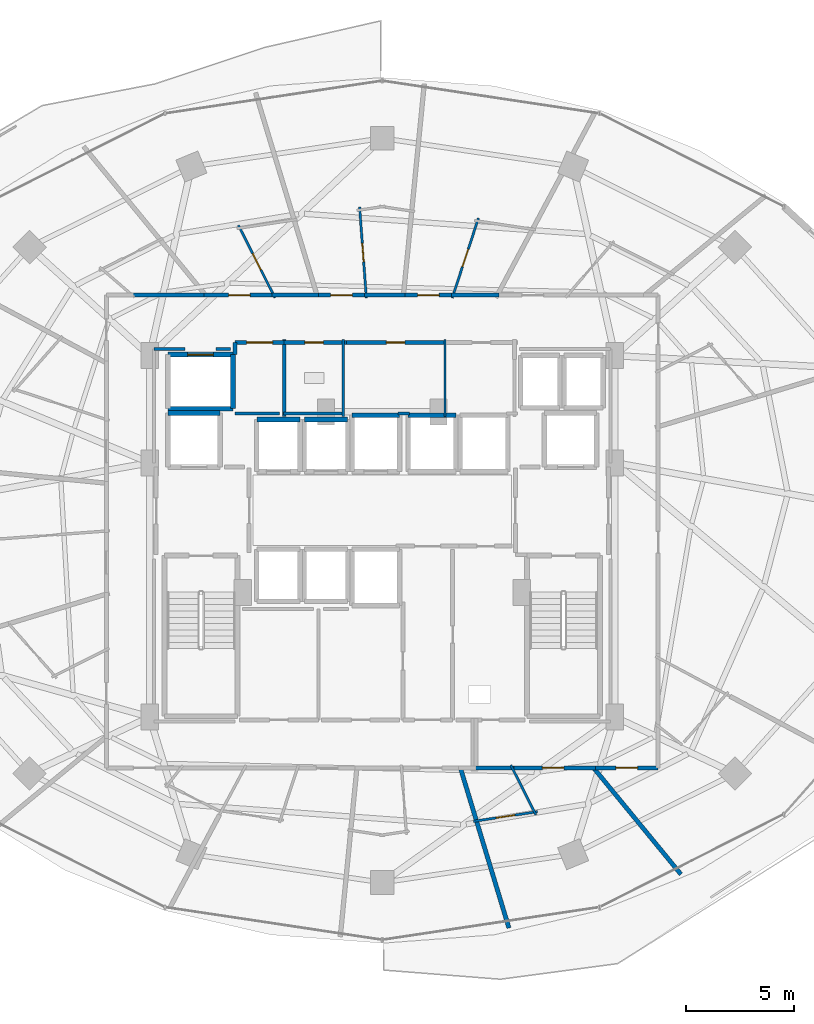
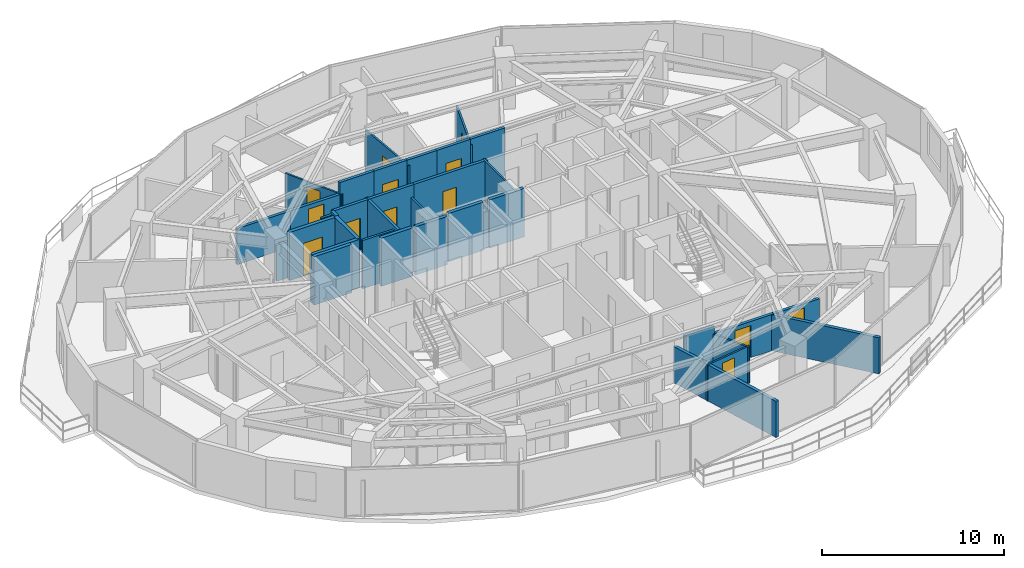
# One storey, part 23 of 29: 37 walls, 13 doors, 13 openings.
"""IFC4 building model written with IfcOpenShell, lengths in metres."""

from ifc_helpers import new_model, si_unit, direction, frame, frame_2d, origin, place, context, subcontext, project, spatial, rectangle, extrude, material, layer, layer_set, type_object, element, fill, save


model = new_model("IFC4")

# Units and contexts
model_context = context("Model", 3, precision=1e-05, world=origin(), true_north=direction((0.0, 1.0)))
body_context = subcontext(model_context, "Body", "Model", "MODEL_VIEW")
ifc_project = project(units=[si_unit("LENGTHUNIT", "METRE"), si_unit("AREAUNIT", "SQUARE_METRE"), si_unit("VOLUMEUNIT", "CUBIC_METRE"), si_unit("PLANEANGLEUNIT", "RADIAN"), si_unit("MASSUNIT", "GRAM", prefix="KILO")], contexts=[model_context])

# Site, building, storey
site_placement = place(None, origin())
site = spatial("IfcSite", under=ifc_project, at=site_placement, CompositionType="ELEMENT")
building_placement = place(site_placement, origin())
building = spatial("IfcBuilding", under=site, at=building_placement, Name="Vorneva Point Tower", CompositionType="ELEMENT")
storey_placement = place(building_placement, frame((0.0, 0.0, 113.800048828125)))
storey = spatial("IfcBuildingStorey", under=building, at=storey_placement, Name="L30", CompositionType="ELEMENT", Elevation=113.800048828125)

# Walls
ifc_material_1 = material(Name="Concrete B60 (C50/60)", Category="concrete")
ifc_layer_1 = layer(ifc_material_1, 0.5)
ifc_layer_set_1 = layer_set([ifc_layer_1], Name="Concrete B60 (C50/60)")
wall_type_1 = type_object("IfcWallType", Name="WL-CORE-500", PredefinedType="SHEAR", material=ifc_layer_set_1)
wall_1_placement = place(storey_placement, frame((30.5, 30.5, 0.0), z_axis=(0.0, 0.0, 1.0), x_axis=(-1.0, 0.0, 0.0)))
element("IfcWall", 1, at=wall_1_placement, inside=storey, type_object=wall_type_1, Name="L30 Lift FFL1 Shaft Wall +Y", PredefinedType="SHEAR", context=body_context, shape_type="SweptSolid", body=[
    extrude(rectangle(XDim=2.39990234375, YDim=0.219970703125, at=frame_2d((1.199951171875, 0.0))), origin(), (0.0, 0.0, 1.0), 3.239990234375),
])
ifc_material_2 = material(Name="Fire-rated acoustic gypsum stud partition", Category="gypsum")
ifc_layer_2 = layer(ifc_material_2, 0.110107421875)
ifc_layer_set_2 = layer_set([ifc_layer_2], Name="Fire-rated acoustic gypsum stud partition")
wall_type_2 = type_object("IfcWallType", Name="WL-PART-110", PredefinedType="PARTITIONING", material=ifc_layer_set_2)
wall_2_placement = place(storey_placement, frame((36.199951171875, 30.340087890625, 0.0), z_axis=(0.0, 0.0, 1.0), x_axis=(0.0, 1.0, 0.0)))
element("IfcWall", 2, at=wall_2_placement, inside=storey, type_object=wall_type_2, Name="L30 Interior Partition 015", PredefinedType="PARTITIONING", context=body_context, shape_type="SweptSolid", body=[
    extrude(rectangle(XDim=3.559814453125, YDim=0.110107421875, at=frame_2d((1.77978515625, 0.0))), origin(), (0.0, 0.0, 1.0), 2.431884765625),
])
wall_3_placement = place(storey_placement, frame((40.89990234375, 30.340087890625, 0.0), z_axis=(0.0, 0.0, 1.0), x_axis=(0.0, 1.0, 0.0)))
element("IfcWall", 3, at=wall_3_placement, inside=storey, type_object=wall_type_2, Name="L30 Interior Partition 017", PredefinedType="PARTITIONING", context=body_context, shape_type="SweptSolid", body=[
    extrude(rectangle(XDim=3.559814453125, YDim=0.110107421875, at=frame_2d((1.77978515625, 0.0))), origin(), (0.0, 0.0, 1.0), 3.239990234375),
])

# Wall, opening, door
wall_4_placement = place(storey_placement, frame((41.232177734375, 35.81689453125, 0.0), z_axis=(0.0, 0.0, 1.0), x_axis=(0.312643466081, 0.949870550716, 0.0)))
wall_4 = element("IfcWall", 4, at=wall_4_placement, inside=storey, type_object=wall_type_2, Name="L30 Interior Partition 069", PredefinedType="PARTITIONING", context=body_context, shape_type="SweptSolid", body=[
    extrude(rectangle(XDim=3.885009765625, YDim=0.110107421875, at=frame_2d((1.9423828125, 0.0))), origin(), (0.0, 0.0, 1.0), 2.885986328125),
])
opening_1_placement = place(wall_4_placement, frame((1.517333984375, 0.0, 0.0)))
opening_1 = element("IfcOpeningElement", 5, at=opening_1_placement, cuts=wall_4, Name="Opening ID-02", PredefinedType="OPENING", context=body_context, shape_type="SweptSolid", body=[
    extrude(rectangle(XDim=0.85009765625, YDim=2.10009765625, at=frame_2d((0.425048828125, 1.050048828125))), frame((0.0, 0.06982421875, 0.0), z_axis=(0.0, -1.0, 0.0), x_axis=(1.0, 0.0, 0.0)), (0.0, 0.0, 1.0), 0.139892578125),
])
ifc_material_3 = material(Name="Engineered oak fire-rated door leaf", Category="wood")
door_type_1 = type_object("IfcDoorType", Name="DR-BATH-850", OperationType="NOTDEFINED", PredefinedType="DOOR", material=ifc_material_3)
door_1_placement = place(opening_1_placement, origin())
door_1 = element("IfcDoor", 6, at=door_1_placement, inside=storey, type_object=door_type_1, Name="L30 Door King Guest Room L30-03 / En-Suite Bathroom L30-03", OperationType="SINGLE_SWING_LEFT", OverallHeight=2.10009765625, OverallWidth=0.85009765625, PredefinedType="DOOR", context=body_context, shape_type="SweptSolid", body=[
    extrude(rectangle(XDim=0.85009765625, YDim=2.10009765625, at=frame_2d((0.425048828125, 1.050048828125))), frame((0.0, 0.02490234375, 0.0), z_axis=(0.0, -1.0, 0.0), x_axis=(1.0, 0.0, 0.0)), (0.0, 0.0, 1.0), 0.050048828125),
])
fill(opening_1, door_1)

wall_5_placement = place(storey_placement, frame((37.266357421875, 35.810302734375, 0.0), z_axis=(0.0, 0.0, 1.0), x_axis=(-0.074555567167, 0.99721686077, 0.0)))
wall_5 = element("IfcWall", 7, at=wall_5_placement, inside=storey, type_object=wall_type_2, Name="L30 Interior Partition 074", PredefinedType="PARTITIONING", context=body_context, shape_type="SweptSolid", body=[
    extrude(rectangle(XDim=4.220947265625, YDim=0.110107421875, at=frame_2d((2.1103515625, 0.0))), origin(), (0.0, 0.0, 1.0), 2.885986328125),
])
opening_2_placement = place(wall_5_placement, frame((1.685546875, 0.0, 0.0)))
opening_2 = element("IfcOpeningElement", 8, at=opening_2_placement, cuts=wall_5, Name="Opening ID-02", PredefinedType="OPENING", context=body_context, shape_type="SweptSolid", body=[
    extrude(rectangle(XDim=0.85009765625, YDim=2.10009765625, at=frame_2d((0.425048828125, 1.050048828125))), frame((0.0, 0.06982421875, 0.0), z_axis=(0.0, -1.0, 0.0), x_axis=(1.0, 0.0, 0.0)), (0.0, 0.0, 1.0), 0.139892578125),
])
door_2_placement = place(opening_2_placement, origin())
door_2 = element("IfcDoor", 9, at=door_2_placement, inside=storey, type_object=door_type_1, Name="L30 Door Twin Guest Room L30-04 / En-Suite Bathroom L30-04", OperationType="SINGLE_SWING_RIGHT", OverallHeight=2.10009765625, OverallWidth=0.85009765625, PredefinedType="DOOR", context=body_context, shape_type="SweptSolid", body=[
    extrude(rectangle(XDim=0.85009765625, YDim=2.10009765625, at=frame_2d((0.425048828125, 1.050048828125))), frame((0.0, 0.02490234375, 0.0), z_axis=(0.0, -1.0, 0.0), x_axis=(1.0, 0.0, 0.0)), (0.0, 0.0, 1.0), 0.050048828125),
])
fill(opening_2, door_2)

wall_6_placement = place(storey_placement, frame((33.0419921875, 35.824951171875, 0.0), z_axis=(0.0, 0.0, 1.0), x_axis=(-0.450415881942, 0.892818869253, 0.0)))
wall_6 = element("IfcWall", 10, at=wall_6_placement, inside=storey, type_object=wall_type_2, Name="L30 Interior Partition 077", PredefinedType="PARTITIONING", context=body_context, shape_type="SweptSolid", body=[
    extrude(rectangle(XDim=3.74755859375, YDim=0.110107421875, at=frame_2d((1.873779296875, 0.0))), origin(), (0.0, 0.0, 1.0), 2.431884765625),
])
opening_3_placement = place(wall_6_placement, frame((1.448974609375, 0.0, 0.0)))
opening_3 = element("IfcOpeningElement", 11, at=opening_3_placement, cuts=wall_6, Name="Opening ID-02", PredefinedType="OPENING", context=body_context, shape_type="SweptSolid", body=[
    extrude(rectangle(XDim=0.85009765625, YDim=2.10009765625, at=frame_2d((0.425048828125, 1.050048828125))), frame((0.0, 0.06982421875, 0.0), z_axis=(0.0, -1.0, 0.0), x_axis=(1.0, 0.0, 0.0)), (0.0, 0.0, 1.0), 0.139892578125),
])
door_3_placement = place(opening_3_placement, origin())
door_3 = element("IfcDoor", 12, at=door_3_placement, inside=storey, type_object=door_type_1, Name="L30 Door Deluxe Guest Room L30-05 / En-Suite Bathroom L30-05", OperationType="SINGLE_SWING_LEFT", OverallHeight=2.10009765625, OverallWidth=0.85009765625, PredefinedType="DOOR", context=body_context, shape_type="SweptSolid", body=[
    extrude(rectangle(XDim=0.85009765625, YDim=2.10009765625, at=frame_2d((0.425048828125, 1.050048828125))), frame((0.0, 0.02490234375, 0.0), z_axis=(0.0, -1.0, 0.0), x_axis=(1.0, 0.0, 0.0)), (0.0, 0.0, 1.0), 0.050048828125),
])
fill(opening_3, door_3)

wall_7_placement = place(storey_placement, frame((45.17529296875, 12.07568359375, 0.0), z_axis=(0.0, 0.0, 1.0), x_axis=(-0.988865063855, -0.148814937044, 0.0)))
wall_7 = element("IfcWall", 13, at=wall_7_placement, inside=storey, type_object=wall_type_2, Name="L30 Interior Partition 104", PredefinedType="PARTITIONING", context=body_context, shape_type="SweptSolid", body=[
    extrude(rectangle(XDim=2.994140625, YDim=0.110107421875, at=frame_2d((1.4970703125, 0.0))), origin(), (0.0, 0.0, 1.0), 2.431884765625),
])
opening_4_placement = place(wall_7_placement, frame((1.072021484375, 0.0, 0.0)))
opening_4 = element("IfcOpeningElement", 14, at=opening_4_placement, cuts=wall_7, Name="Opening ID-02", PredefinedType="OPENING", context=body_context, shape_type="SweptSolid", body=[
    extrude(rectangle(XDim=0.85009765625, YDim=2.10009765625, at=frame_2d((0.425048828125, 1.050048828125))), frame((0.0, 0.06982421875, 0.0), z_axis=(0.0, -1.0, 0.0), x_axis=(1.0, 0.0, 0.0)), (0.0, 0.0, 1.0), 0.139892578125),
])
door_4_placement = place(opening_4_placement, origin())
door_4 = element("IfcDoor", 15, at=door_4_placement, inside=storey, type_object=door_type_1, Name="L30 Door Twin Guest Room L30-13 / En-Suite Bathroom L30-13", OperationType="SINGLE_SWING_LEFT", OverallHeight=2.10009765625, OverallWidth=0.85009765625, PredefinedType="DOOR", context=body_context, shape_type="SweptSolid", body=[
    extrude(rectangle(XDim=0.85009765625, YDim=2.10009765625, at=frame_2d((0.425048828125, 1.050048828125))), frame((0.0, 0.02490234375, 0.0), z_axis=(0.0, -1.0, 0.0), x_axis=(1.0, 0.0, 0.0)), (0.0, 0.0, 1.0), 0.050048828125),
])
fill(opening_4, door_4)

# Walls
wall_8_placement = place(storey_placement, frame((43.94189453125, 14.22509765625, 0.0), z_axis=(0.0, 0.0, 1.0), x_axis=(0.450515334881, -0.892768689548, 0.0)))
element("IfcWall", 16, at=wall_8_placement, inside=storey, type_object=wall_type_2, Name="L30 Interior Partition 105", PredefinedType="PARTITIONING", context=body_context, shape_type="SweptSolid", body=[
    extrude(rectangle(XDim=2.57080078125, YDim=0.110107421875, at=frame_2d((1.285400390625, 0.0))), origin(), (0.0, 0.0, 1.0), 2.431884765625),
])
ifc_layer_3 = layer(ifc_material_2, 0.139892578125)
ifc_layer_set_3 = layer_set([ifc_layer_3], Name="Fire-rated acoustic gypsum stud partition")
wall_type_3 = type_object("IfcWallType", Name="WL-PART-140", PredefinedType="PARTITIONING", material=ifc_layer_set_3)
wall_9_placement = place(storey_placement, frame((31.199951171875, 30.47998046875, 0.0), z_axis=(0.0, 0.0, 1.0), x_axis=(1.0, 0.0, 0.0)))
element("IfcWall", 17, at=wall_9_placement, inside=storey, type_object=wall_type_3, Name="L30 Interior Closure Partition 113", PredefinedType="PARTITIONING", context=body_context, shape_type="SweptSolid", body=[
    extrude(rectangle(XDim=2.050048828125, YDim=0.139892578125, at=frame_2d((1.02490234375, 0.0))), origin(), (0.0, 0.0, 1.0), 3.239990234375),
])
wall_10_placement = place(storey_placement, frame((33.43994140625, 30.47998046875, 0.0), z_axis=(0.0, 0.0, 1.0), x_axis=(1.0, 0.0, 0.0)))
element("IfcWall", 18, at=wall_10_placement, inside=storey, type_object=wall_type_3, Name="L30 Interior Closure Partition 114", PredefinedType="PARTITIONING", context=body_context, shape_type="SweptSolid", body=[
    extrude(rectangle(XDim=2.7900390625, YDim=0.139892578125, at=frame_2d((1.39501953125, 0.0))), origin(), (0.0, 0.0, 1.0), 2.431884765625),
])
wall_11_placement = place(storey_placement, frame((38.735107421875, 30.47998046875, 0.0), z_axis=(0.0, 0.0, 1.0), x_axis=(1.0, 0.0, 0.0)))
element("IfcWall", 19, at=wall_11_placement, inside=storey, type_object=wall_type_3, Name="L30 Interior Closure Partition 115", PredefinedType="PARTITIONING", context=body_context, shape_type="SweptSolid", body=[
    extrude(rectangle(XDim=0.52978515625, YDim=0.139892578125, at=frame_2d((0.264892578125, 0.0))), origin(), (0.0, 0.0, 1.0), 2.431884765625),
])
wall_12_placement = place(storey_placement, frame((27.449951171875, 33.449951171875, 0.0), z_axis=(0.0, 0.0, 1.0), x_axis=(1.0, 0.0, 0.0)))
element("IfcWall", 20, at=wall_12_placement, inside=storey, type_object=wall_type_3, Name="L30 Interior Closure Partition 127", PredefinedType="PARTITIONING", context=body_context, shape_type="SweptSolid", body=[
    extrude(rectangle(XDim=1.444091796875, YDim=0.139892578125, at=frame_2d((0.72216796875, 0.0))), origin(), (0.0, 0.0, 1.0), 2.431884765625),
])
wall_13_placement = place(storey_placement, frame((30.305908203125, 33.449951171875, 0.0), z_axis=(0.0, 0.0, 1.0), x_axis=(1.0, 0.0, 0.0)))
element("IfcWall", 21, at=wall_13_placement, inside=storey, type_object=wall_type_3, Name="L30 Interior Closure Partition 128", PredefinedType="PARTITIONING", context=body_context, shape_type="SweptSolid", body=[
    extrude(rectangle(XDim=0.674072265625, YDim=0.139892578125, at=frame_2d((0.3369140625, 0.0))), origin(), (0.0, 0.0, 1.0), 3.239990234375),
])
ifc_material_4 = material(Name="Autoclaved aerated concrete blockwork", Category="masonry")
ifc_layer_4 = layer(ifc_material_4, 0.179931640625)
ifc_layer_set_4 = layer_set([ifc_layer_4], Name="Autoclaved aerated concrete blockwork")
wall_type_4 = type_object("IfcWallType", Name="WL-PART-180", PredefinedType="PARTITIONING", material=ifc_layer_set_4)
wall_14_placement = place(storey_placement, frame((33.469970703125, 30.340087890625, 0.0), z_axis=(0.0, 0.0, 1.0), x_axis=(0.0, 1.0, 0.0)))
element("IfcWall", 22, at=wall_14_placement, inside=storey, type_object=wall_type_4, Name="L30 Interior Partition 006", PredefinedType="PARTITIONING", context=body_context, shape_type="SweptSolid", body=[
    extrude(rectangle(XDim=3.559814453125, YDim=0.179931640625, at=frame_2d((1.77978515625, 0.0))), origin(), (0.0, 0.0, 1.0), 3.239990234375),
])

# Wall, opening, door
wall_15_placement = place(storey_placement, frame((33.469970703125, 33.760009765625, 0.0), z_axis=(0.0, 0.0, 1.0), x_axis=(-1.0, 0.0, 0.0)))
wall_15 = element("IfcWall", 23, at=wall_15_placement, inside=storey, type_object=wall_type_4, Name="L30 Interior Partition 007", PredefinedType="PARTITIONING", context=body_context, shape_type="SweptSolid", body=[
    extrude(rectangle(XDim=2.27001953125, YDim=0.179931640625, at=frame_2d((1.135009765625, 0.0))), origin(), (0.0, 0.0, 1.0), 3.239990234375),
])
opening_5_placement = place(wall_15_placement, frame((0.534912109375, 0.0, 0.0)))
opening_5 = element("IfcOpeningElement", 24, at=opening_5_placement, cuts=wall_15, Name="Opening FD-02", PredefinedType="OPENING", context=body_context, shape_type="SweptSolid", body=[
    extrude(rectangle(XDim=1.199951171875, YDim=2.14990234375, at=frame_2d((0.60009765625, 1.074951171875))), frame((0.0, 0.10498046875, 0.0), z_axis=(0.0, -1.0, 0.0), x_axis=(1.0, 0.0, 0.0)), (0.0, 0.0, 1.0), 0.209716796875),
])
ifc_material_5 = material(Name="Fire-rated powder-coated steel", Category="steel")
door_type_2 = type_object("IfcDoorType", Name="DR-FFL-1200", OperationType="NOTDEFINED", PredefinedType="DOOR", material=ifc_material_5)
door_5_placement = place(opening_5_placement, origin())
door_5 = element("IfcDoor", 25, at=door_5_placement, inside=storey, type_object=door_type_2, Name="L30 Door Service Lift Lobby / L30 Circulation Corridor", OperationType="SINGLE_SWING_RIGHT", OverallHeight=2.14990234375, OverallWidth=1.199951171875, PredefinedType="DOOR", context=body_context, shape_type="SweptSolid", body=[
    extrude(rectangle(XDim=1.199951171875, YDim=2.14990234375, at=frame_2d((0.60009765625, 1.074951171875))), frame((0.0, 0.02490234375, 0.0), z_axis=(0.0, -1.0, 0.0), x_axis=(1.0, 0.0, 0.0)), (0.0, 0.0, 1.0), 0.050048828125),
])
fill(opening_5, door_5)

# Wall
wall_16_placement = place(storey_placement, frame((31.199951171875, 33.760009765625, 0.0), z_axis=(0.0, 0.0, 1.0), x_axis=(0.0, -1.0, 0.0)))
element("IfcWall", 26, at=wall_16_placement, inside=storey, type_object=wall_type_4, Name="L30 Interior Partition 008", PredefinedType="PARTITIONING", context=body_context, shape_type="SweptSolid", body=[
    extrude(rectangle(XDim=0.56005859375, YDim=0.179931640625, at=frame_2d((0.280029296875, 0.0))), origin(), (0.0, 0.0, 1.0), 3.239990234375),
])

# Wall, opening, door
wall_17_placement = place(storey_placement, frame((36.340087890625, 33.760009765625, 0.0), z_axis=(0.0, 0.0, 1.0), x_axis=(-1.0, 0.0, 0.0)))
wall_17 = element("IfcWall", 27, at=wall_17_placement, inside=storey, type_object=wall_type_4, Name="L30 Interior Partition 016", PredefinedType="PARTITIONING", context=body_context, shape_type="SweptSolid", body=[
    extrude(rectangle(XDim=2.97998046875, YDim=0.179931640625, at=frame_2d((1.489990234375, 0.0))), origin(), (0.0, 0.0, 1.0), 3.239990234375),
])
opening_6_placement = place(wall_17_placement, frame((1.06494140625, 0.0, 0.0)))
opening_6 = element("IfcOpeningElement", 28, at=opening_6_placement, cuts=wall_17, Name="Opening ID-02", PredefinedType="OPENING", context=body_context, shape_type="SweptSolid", body=[
    extrude(rectangle(XDim=0.85009765625, YDim=2.10009765625, at=frame_2d((0.425048828125, 1.050048828125))), frame((0.0, 0.10498046875, 0.0), z_axis=(0.0, -1.0, 0.0), x_axis=(1.0, 0.0, 0.0)), (0.0, 0.0, 1.0), 0.209716796875),
])
door_6_placement = place(opening_6_placement, origin())
door_6 = element("IfcDoor", 29, at=door_6_placement, inside=storey, type_object=door_type_1, Name="L30 Door Public Male WC / L30 Circulation Corridor", OperationType="SINGLE_SWING_LEFT", OverallHeight=2.10009765625, OverallWidth=0.85009765625, PredefinedType="DOOR", context=body_context, shape_type="SweptSolid", body=[
    extrude(rectangle(XDim=0.85009765625, YDim=2.10009765625, at=frame_2d((0.425048828125, 1.050048828125))), frame((0.0, 0.02490234375, 0.0), z_axis=(0.0, -1.0, 0.0), x_axis=(1.0, 0.0, 0.0)), (0.0, 0.0, 1.0), 0.050048828125),
])
fill(opening_6, door_6)

wall_18_placement = place(storey_placement, frame((41.0400390625, 33.760009765625, 0.0), z_axis=(0.0, 0.0, 1.0), x_axis=(-1.0, 0.0, 0.0)))
wall_18 = element("IfcWall", 30, at=wall_18_placement, inside=storey, type_object=wall_type_4, Name="L30 Interior Partition 018", PredefinedType="PARTITIONING", context=body_context, shape_type="SweptSolid", body=[
    extrude(rectangle(XDim=4.840087890625, YDim=0.179931640625, at=frame_2d((2.419921875, 0.0))), origin(), (0.0, 0.0, 1.0), 3.239990234375),
])
opening_7_placement = place(wall_18_placement, frame((1.9951171875, 0.0, 0.0)))
opening_7 = element("IfcOpeningElement", 31, at=opening_7_placement, cuts=wall_18, Name="Opening ID-02", PredefinedType="OPENING", context=body_context, shape_type="SweptSolid", body=[
    extrude(rectangle(XDim=0.85009765625, YDim=2.10009765625, at=frame_2d((0.425048828125, 1.050048828125))), frame((0.0, 0.10498046875, 0.0), z_axis=(0.0, -1.0, 0.0), x_axis=(1.0, 0.0, 0.0)), (0.0, 0.0, 1.0), 0.209716796875),
])
door_7_placement = place(opening_7_placement, origin())
door_7 = element("IfcDoor", 32, at=door_7_placement, inside=storey, type_object=door_type_1, Name="L30 Door Public Female WC / L30 Circulation Corridor", OperationType="SINGLE_SWING_RIGHT", OverallHeight=2.10009765625, OverallWidth=0.85009765625, PredefinedType="DOOR", context=body_context, shape_type="SweptSolid", body=[
    extrude(rectangle(XDim=0.85009765625, YDim=2.10009765625, at=frame_2d((0.425048828125, 1.050048828125))), frame((0.0, 0.02490234375, 0.0), z_axis=(0.0, -1.0, 0.0), x_axis=(1.0, 0.0, 0.0)), (0.0, 0.0, 1.0), 0.050048828125),
])
fill(opening_7, door_7)

wall_19_placement = place(storey_placement, frame((41.339111328125, 35.949951171875, 0.0), z_axis=(0.0, 0.0, 1.0), x_axis=(-1.0, 0.0, 0.0)))
wall_19 = element("IfcWall", 33, at=wall_19_placement, inside=storey, type_object=wall_type_4, Name="L30 Interior Partition 029", PredefinedType="PARTITIONING", context=body_context, shape_type="SweptSolid", body=[
    extrude(rectangle(XDim=2.419189453125, YDim=0.179931640625, at=frame_2d((1.20947265625, 0.0))), origin(), (0.0, 0.0, 1.0), 3.239990234375),
])
opening_8_placement = place(wall_19_placement, frame((0.70947265625, 0.0, 0.0)))
opening_8 = element("IfcOpeningElement", 34, at=opening_8_placement, cuts=wall_19, Name="Opening UD-01", PredefinedType="OPENING", context=body_context, shape_type="SweptSolid", body=[
    extrude(rectangle(XDim=1.0, YDim=2.14990234375, at=frame_2d((0.5, 1.074951171875))), frame((0.0, 0.10498046875, 0.0), z_axis=(0.0, -1.0, 0.0), x_axis=(1.0, 0.0, 0.0)), (0.0, 0.0, 1.0), 0.209716796875),
])
door_type_3 = type_object("IfcDoorType", Name="DR-UNIT-1000", OperationType="NOTDEFINED", PredefinedType="DOOR", material=ifc_material_3)
door_8_placement = place(opening_8_placement, origin())
door_8 = element("IfcDoor", 35, at=door_8_placement, inside=storey, type_object=door_type_3, Name="L30 Door L30 Circulation Corridor / King Guest Room L30-03", OperationType="SINGLE_SWING_RIGHT", OverallHeight=2.14990234375, OverallWidth=1.0, PredefinedType="DOOR", context=body_context, shape_type="SweptSolid", body=[
    extrude(rectangle(XDim=1.0, YDim=2.14990234375, at=frame_2d((0.5, 1.074951171875))), frame((0.0, 0.02490234375, 0.0), z_axis=(0.0, -1.0, 0.0), x_axis=(1.0, 0.0, 0.0)), (0.0, 0.0, 1.0), 0.050048828125),
])
fill(opening_8, door_8)

# Wall
wall_20_placement = place(storey_placement, frame((43.39794921875, 35.949951171875, 0.0), z_axis=(0.0, 0.0, 1.0), x_axis=(-1.0, 0.0, 0.0)))
element("IfcWall", 36, at=wall_20_placement, inside=storey, type_object=wall_type_4, Name="L30 Interior Partition 030", PredefinedType="PARTITIONING", context=body_context, shape_type="SweptSolid", body=[
    extrude(rectangle(XDim=2.198974609375, YDim=0.179931640625, at=frame_2d((1.099609375, 0.0))), origin(), (0.0, 0.0, 1.0), 3.239990234375),
])

# Wall, opening, door
wall_21_placement = place(storey_placement, frame((37.31591796875, 35.949951171875, 0.0), z_axis=(0.0, 0.0, 1.0), x_axis=(-1.0, 0.0, 0.0)))
wall_21 = element("IfcWall", 37, at=wall_21_placement, inside=storey, type_object=wall_type_4, Name="L30 Interior Partition 031", PredefinedType="PARTITIONING", context=body_context, shape_type="SweptSolid", body=[
    extrude(rectangle(XDim=2.39697265625, YDim=0.179931640625, at=frame_2d((1.198486328125, 0.0))), origin(), (0.0, 0.0, 1.0), 3.239990234375),
])
opening_9_placement = place(wall_21_placement, frame((0.698486328125, 0.0, 0.0)))
opening_9 = element("IfcOpeningElement", 38, at=opening_9_placement, cuts=wall_21, Name="Opening UD-01", PredefinedType="OPENING", context=body_context, shape_type="SweptSolid", body=[
    extrude(rectangle(XDim=1.0, YDim=2.14990234375, at=frame_2d((0.5, 1.074951171875))), frame((0.0, 0.10498046875, 0.0), z_axis=(0.0, -1.0, 0.0), x_axis=(1.0, 0.0, 0.0)), (0.0, 0.0, 1.0), 0.209716796875),
])
door_9_placement = place(opening_9_placement, origin())
door_9 = element("IfcDoor", 39, at=door_9_placement, inside=storey, type_object=door_type_3, Name="L30 Door L30 Circulation Corridor / Twin Guest Room L30-04", OperationType="SINGLE_SWING_LEFT", OverallHeight=2.14990234375, OverallWidth=1.0, PredefinedType="DOOR", context=body_context, shape_type="SweptSolid", body=[
    extrude(rectangle(XDim=1.0, YDim=2.14990234375, at=frame_2d((0.5, 1.074951171875))), frame((0.0, 0.02490234375, 0.0), z_axis=(0.0, -1.0, 0.0), x_axis=(1.0, 0.0, 0.0)), (0.0, 0.0, 1.0), 0.050048828125),
])
fill(opening_9, door_9)

# Wall
wall_22_placement = place(storey_placement, frame((39.06005859375, 35.949951171875, 0.0), z_axis=(0.0, 0.0, 1.0), x_axis=(-1.0, 0.0, 0.0)))
element("IfcWall", 40, at=wall_22_placement, inside=storey, type_object=wall_type_4, Name="L30 Interior Partition 032", PredefinedType="PARTITIONING", context=body_context, shape_type="SweptSolid", body=[
    extrude(rectangle(XDim=1.884033203125, YDim=0.179931640625, at=frame_2d((0.94189453125, 0.0))), origin(), (0.0, 0.0, 1.0), 3.239990234375),
])

# Wall, opening, door
wall_23_placement = place(storey_placement, frame((33.0390625, 35.949951171875, 0.0), z_axis=(0.0, 0.0, 1.0), x_axis=(-1.0, 0.0, 0.0)))
wall_23 = element("IfcWall", 41, at=wall_23_placement, inside=storey, type_object=wall_type_4, Name="L30 Interior Partition 033", PredefinedType="PARTITIONING", context=body_context, shape_type="SweptSolid", body=[
    extrude(rectangle(XDim=3.282958984375, YDim=0.179931640625, at=frame_2d((1.6416015625, 0.0))), origin(), (0.0, 0.0, 1.0), 2.431884765625),
])
opening_10_placement = place(wall_23_placement, frame((1.1416015625, 0.0, 0.0)))
opening_10 = element("IfcOpeningElement", 42, at=opening_10_placement, cuts=wall_23, Name="Opening UD-01", PredefinedType="OPENING", context=body_context, shape_type="SweptSolid", body=[
    extrude(rectangle(XDim=1.0, YDim=2.14990234375, at=frame_2d((0.5, 1.074951171875))), frame((0.0, 0.10498046875, 0.0), z_axis=(0.0, -1.0, 0.0), x_axis=(1.0, 0.0, 0.0)), (0.0, 0.0, 1.0), 0.209716796875),
])
door_10_placement = place(opening_10_placement, origin())
door_10 = element("IfcDoor", 43, at=door_10_placement, inside=storey, type_object=door_type_3, Name="L30 Door L30 Circulation Corridor / Deluxe Guest Room L30-05", OperationType="SINGLE_SWING_RIGHT", OverallHeight=2.14990234375, OverallWidth=1.0, PredefinedType="DOOR", context=body_context, shape_type="SweptSolid", body=[
    extrude(rectangle(XDim=1.0, YDim=2.14990234375, at=frame_2d((0.5, 1.074951171875))), frame((0.0, 0.02490234375, 0.0), z_axis=(0.0, -1.0, 0.0), x_axis=(1.0, 0.0, 0.0)), (0.0, 0.0, 1.0), 0.050048828125),
])
fill(opening_10, door_10)

# Walls
wall_24_placement = place(storey_placement, frame((35.05908203125, 35.949951171875, 0.0), z_axis=(0.0, 0.0, 1.0), x_axis=(-1.0, 0.0, 0.0)))
element("IfcWall", 44, at=wall_24_placement, inside=storey, type_object=wall_type_4, Name="L30 Interior Partition 034", PredefinedType="PARTITIONING", context=body_context, shape_type="SweptSolid", body=[
    extrude(rectangle(XDim=2.16015625, YDim=0.179931640625, at=frame_2d((1.080078125, 0.0))), origin(), (0.0, 0.0, 1.0), 3.239990234375),
])
wall_25_placement = place(storey_placement, frame((29.89599609375, 35.949951171875, 0.0), z_axis=(0.0, 0.0, 1.0), x_axis=(-1.0, 0.0, 0.0)))
element("IfcWall", 45, at=wall_25_placement, inside=storey, type_object=wall_type_4, Name="L30 Interior Partition 037", PredefinedType="PARTITIONING", context=body_context, shape_type="SweptSolid", body=[
    extrude(rectangle(XDim=3.533935546875, YDim=0.179931640625, at=frame_2d((1.76708984375, 0.0))), origin(), (0.0, 0.0, 1.0), 2.431884765625),
])

# Wall, opening, door
wall_26_placement = place(storey_placement, frame((43.945068359375, 14.10009765625, 0.0), z_axis=(0.0, 0.0, 1.0), x_axis=(1.0, 0.0, 0.0)))
wall_26 = element("IfcWall", 46, at=wall_26_placement, inside=storey, type_object=wall_type_4, Name="L30 Interior Partition 051", PredefinedType="PARTITIONING", context=body_context, shape_type="SweptSolid", body=[
    extrude(rectangle(XDim=3.89892578125, YDim=0.179931640625, at=frame_2d((1.949462890625, 0.0))), origin(), (0.0, 0.0, 1.0), 2.431884765625),
])
opening_11_placement = place(wall_26_placement, frame((1.449462890625, 0.0, 0.0)))
opening_11 = element("IfcOpeningElement", 47, at=opening_11_placement, cuts=wall_26, Name="Opening UD-01", PredefinedType="OPENING", context=body_context, shape_type="SweptSolid", body=[
    extrude(rectangle(XDim=1.0, YDim=2.14990234375, at=frame_2d((0.5, 1.074951171875))), frame((0.0, 0.10498046875, 0.0), z_axis=(0.0, -1.0, 0.0), x_axis=(1.0, 0.0, 0.0)), (0.0, 0.0, 1.0), 0.209716796875),
])
door_11_placement = place(opening_11_placement, origin())
door_11 = element("IfcDoor", 48, at=door_11_placement, inside=storey, type_object=door_type_3, Name="L30 Door L30 Circulation Corridor / Twin Guest Room L30-13", OperationType="SINGLE_SWING_RIGHT", OverallHeight=2.14990234375, OverallWidth=1.0, PredefinedType="DOOR", context=body_context, shape_type="SweptSolid", body=[
    extrude(rectangle(XDim=1.0, YDim=2.14990234375, at=frame_2d((0.5, 1.074951171875))), frame((0.0, 0.02490234375, 0.0), z_axis=(0.0, -1.0, 0.0), x_axis=(1.0, 0.0, 0.0)), (0.0, 0.0, 1.0), 0.050048828125),
])
fill(opening_11, door_11)

# Wall
wall_27_placement = place(storey_placement, frame((42.199951171875, 14.10009765625, 0.0), z_axis=(0.0, 0.0, 1.0), x_axis=(1.0, 0.0, 0.0)))
element("IfcWall", 49, at=wall_27_placement, inside=storey, type_object=wall_type_4, Name="L30 Interior Partition 053", PredefinedType="PARTITIONING", context=body_context, shape_type="SweptSolid", body=[
    extrude(rectangle(XDim=1.885009765625, YDim=0.179931640625, at=frame_2d((0.9423828125, 0.0))), origin(), (0.0, 0.0, 1.0), 2.928955078125),
])

# Wall, opening, door
wall_28_placement = place(storey_placement, frame((47.843994140625, 14.10009765625, 0.0), z_axis=(0.0, 0.0, 1.0), x_axis=(1.0, 0.0, 0.0)))
wall_28 = element("IfcWall", 50, at=wall_28_placement, inside=storey, type_object=wall_type_4, Name="L30 Interior Partition 056", PredefinedType="PARTITIONING", context=body_context, shape_type="SweptSolid", body=[
    extrude(rectangle(XDim=2.906005859375, YDim=0.179931640625, at=frame_2d((1.453125, 0.0))), origin(), (0.0, 0.0, 1.0), 2.431884765625),
])
opening_12_placement = place(wall_28_placement, frame((0.952880859375, 0.0, 0.0)))
opening_12 = element("IfcOpeningElement", 51, at=opening_12_placement, cuts=wall_28, Name="Opening UD-01", PredefinedType="OPENING", context=body_context, shape_type="SweptSolid", body=[
    extrude(rectangle(XDim=1.0, YDim=2.14990234375, at=frame_2d((0.5, 1.074951171875))), frame((0.0, 0.10498046875, 0.0), z_axis=(0.0, -1.0, 0.0), x_axis=(1.0, 0.0, 0.0)), (0.0, 0.0, 1.0), 0.209716796875),
])
door_12_placement = place(opening_12_placement, origin())
door_12 = element("IfcDoor", 52, at=door_12_placement, inside=storey, type_object=door_type_3, Name="L30 Door L30 Circulation Corridor / Deluxe Guest Room L30-14", OperationType="SINGLE_SWING_LEFT", OverallHeight=2.14990234375, OverallWidth=1.0, PredefinedType="DOOR", context=body_context, shape_type="SweptSolid", body=[
    extrude(rectangle(XDim=1.0, YDim=2.14990234375, at=frame_2d((0.5, 1.074951171875))), frame((0.0, 0.02490234375, 0.0), z_axis=(0.0, -1.0, 0.0), x_axis=(1.0, 0.0, 0.0)), (0.0, 0.0, 1.0), 0.050048828125),
])
fill(opening_12, door_12)

# Walls
ifc_layer_5 = layer(ifc_material_4, 0.199951171875)
ifc_layer_set_5 = layer_set([ifc_layer_5], Name="Autoclaved aerated concrete blockwork")
wall_type_5 = type_object("IfcWallType", Name="WL-PART-200", PredefinedType="PARTITIONING", material=ifc_layer_set_5)
wall_29_placement = place(storey_placement, frame((43.85498046875, 6.699951171875, 0.0), z_axis=(0.0, 0.0, 1.0), x_axis=(-0.290292155577, 0.956938067176, 0.0)))
element("IfcWall", 53, at=wall_29_placement, inside=storey, type_object=wall_type_5, Name="L30 Interior Partition 103", PredefinedType="PARTITIONING", context=body_context, shape_type="SweptSolid", body=[
    extrude(rectangle(XDim=7.733154296875, YDim=0.199951171875, at=frame_2d((3.86669921875, 0.0))), origin(), (0.0, 0.0, 1.0), 2.431884765625),
])
wall_30_placement = place(storey_placement, frame((51.802001953125, 9.181884765625, 0.0), z_axis=(0.0, 0.0, 1.0), x_axis=(-0.634357186002, 0.773040076948, 0.0)))
element("IfcWall", 54, at=wall_30_placement, inside=storey, type_object=wall_type_5, Name="L30 Interior Partition 106", PredefinedType="PARTITIONING", context=body_context, shape_type="SweptSolid", body=[
    extrude(rectangle(XDim=6.362060546875, YDim=0.199951171875, at=frame_2d((3.18115234375, 0.0))), origin(), (0.0, 0.0, 1.0), 2.431884765625),
])
ifc_material_6 = material(Name="Concrete B50 (C40/50)", Category="concrete")
ifc_layer_6 = layer(ifc_material_6, 0.219970703125)
ifc_layer_set_6 = layer_set([ifc_layer_6], Name="Concrete B50 (C40/50)")
wall_type_6 = type_object("IfcWallType", Name="WL-SHFT-220", PredefinedType="SOLIDWALL", material=ifc_layer_set_6)
for number, where, z_axis, x_axis, name in (
    (55, (34.199951171875, 30.199951171875, 0.0), (0.0, 0.0, 1.0), (-1.0, 0.0, 0.0), "L30 Lift PL1 Shaft Wall +Y"),
    (56, (36.39990234375, 30.199951171875, 0.0), (0.0, 0.0, 1.0), (-1.0, 0.0, 0.0), "L30 Lift PL2 Shaft Wall +Y"),
):
    element("IfcWall", number, at=place(storey_placement, frame(where, z_axis=z_axis, x_axis=x_axis)), inside=storey, type_object=wall_type_6, Name=name, PredefinedType="SOLIDWALL", context=body_context, shape_type="SweptSolid", body=[
        extrude(rectangle(XDim=2.0, YDim=0.219970703125, at=frame_2d((1.0, 0.0))), origin(), (0.0, 0.0, 1.0), 3.239990234375),
    ])
for number, where, z_axis, x_axis, name in (
    (57, (38.800048828125, 30.39990234375, 0.0), (0.0, 0.0, 1.0), (-1.0, 0.0, 0.0), "L30 Lift PL3 Shaft Wall +Y"),
    (58, (41.39990234375, 30.39990234375, 0.0), (0.0, 0.0, 1.0), (-1.0, 0.0, 0.0), "L30 Lift PL7 Shaft Wall +Y"),
):
    element("IfcWall", number, at=place(storey_placement, frame(where, z_axis=z_axis, x_axis=x_axis)), inside=storey, type_object=wall_type_6, Name=name, PredefinedType="SOLIDWALL", context=body_context, shape_type="SweptSolid", body=[
        extrude(rectangle(XDim=2.199951171875, YDim=0.219970703125, at=frame_2d((1.10009765625, 0.0))), origin(), (0.0, 0.0, 1.0), 3.239990234375),
    ])
wall_31_placement = place(storey_placement, frame((28.10009765625, 30.699951171875, 0.0), z_axis=(0.0, 0.0, 1.0), x_axis=(1.0, 0.0, 0.0)))
element("IfcWall", 59, at=wall_31_placement, inside=storey, type_object=wall_type_6, Name="L30 Lift SVL1 Shaft Wall -Y", PredefinedType="SOLIDWALL", context=body_context, shape_type="SweptSolid", body=[
    extrude(rectangle(XDim=3.0, YDim=0.219970703125, at=frame_2d((1.5, 0.0))), origin(), (0.0, 0.0, 1.0), 3.239990234375),
])
wall_32_placement = place(storey_placement, frame((31.10009765625, 30.699951171875, 0.0), z_axis=(0.0, 0.0, 1.0), x_axis=(0.0, 1.0, 0.0)))
element("IfcWall", 60, at=wall_32_placement, inside=storey, type_object=wall_type_6, Name="L30 Lift SVL1 Shaft Wall +X", PredefinedType="SOLIDWALL", context=body_context, shape_type="SweptSolid", body=[
    extrude(rectangle(XDim=2.5, YDim=0.219970703125, at=frame_2d((1.25, 0.0))), origin(), (0.0, 0.0, 1.0), 3.239990234375),
])

# Wall, opening, door
wall_33_placement = place(storey_placement, frame((31.10009765625, 33.199951171875, 0.0), z_axis=(0.0, 0.0, 1.0), x_axis=(-1.0, 0.0, 0.0)))
wall_33 = element("IfcWall", 61, at=wall_33_placement, inside=storey, type_object=wall_type_6, Name="L30 Lift SVL1 Shaft Wall +Y", PredefinedType="SOLIDWALL", context=body_context, shape_type="SweptSolid", body=[
    extrude(rectangle(XDim=3.0, YDim=0.219970703125, at=frame_2d((1.5, 0.0))), origin(), (0.0, 0.0, 1.0), 3.239990234375),
])
opening_13_placement = place(wall_33_placement, frame((0.89990234375, 0.0, 0.0)))
opening_13 = element("IfcOpeningElement", 62, at=opening_13_placement, cuts=wall_33, Name="Opening LD-02", PredefinedType="OPENING", context=body_context, shape_type="SweptSolid", body=[
    extrude(rectangle(XDim=1.199951171875, YDim=2.199951171875, at=frame_2d((0.60009765625, 1.10009765625))), frame((0.0, 0.125, 0.0), z_axis=(0.0, -1.0, 0.0), x_axis=(1.0, 0.0, 0.0)), (0.0, 0.0, 1.0), 0.249755859375),
])
ifc_material_7 = material(Name="Brushed stainless steel S304", Category="steel")
door_type_4 = type_object("IfcDoorType", Name="LD-FIRE-1200", OperationType="SLIDING_TO_LEFT", PredefinedType="DOOR", material=ifc_material_7)
door_13_placement = place(opening_13_placement, origin())
door_13 = element("IfcDoor", 63, at=door_13_placement, inside=storey, type_object=door_type_4, Name="L30 Lift SVL1 Sliding Landing Door", OperationType="SLIDING_TO_LEFT", OverallHeight=2.199951171875, OverallWidth=1.199951171875, PredefinedType="DOOR", context=body_context, shape_type="SweptSolid", body=[
    extrude(rectangle(XDim=1.199951171875, YDim=2.199951171875, at=frame_2d((0.60009765625, 1.10009765625))), frame((0.0, 0.02490234375, 0.0), z_axis=(0.0, -1.0, 0.0), x_axis=(1.0, 0.0, 0.0)), (0.0, 0.0, 1.0), 0.050048828125),
])
fill(opening_13, door_13)

save(model, "model.ifc")
